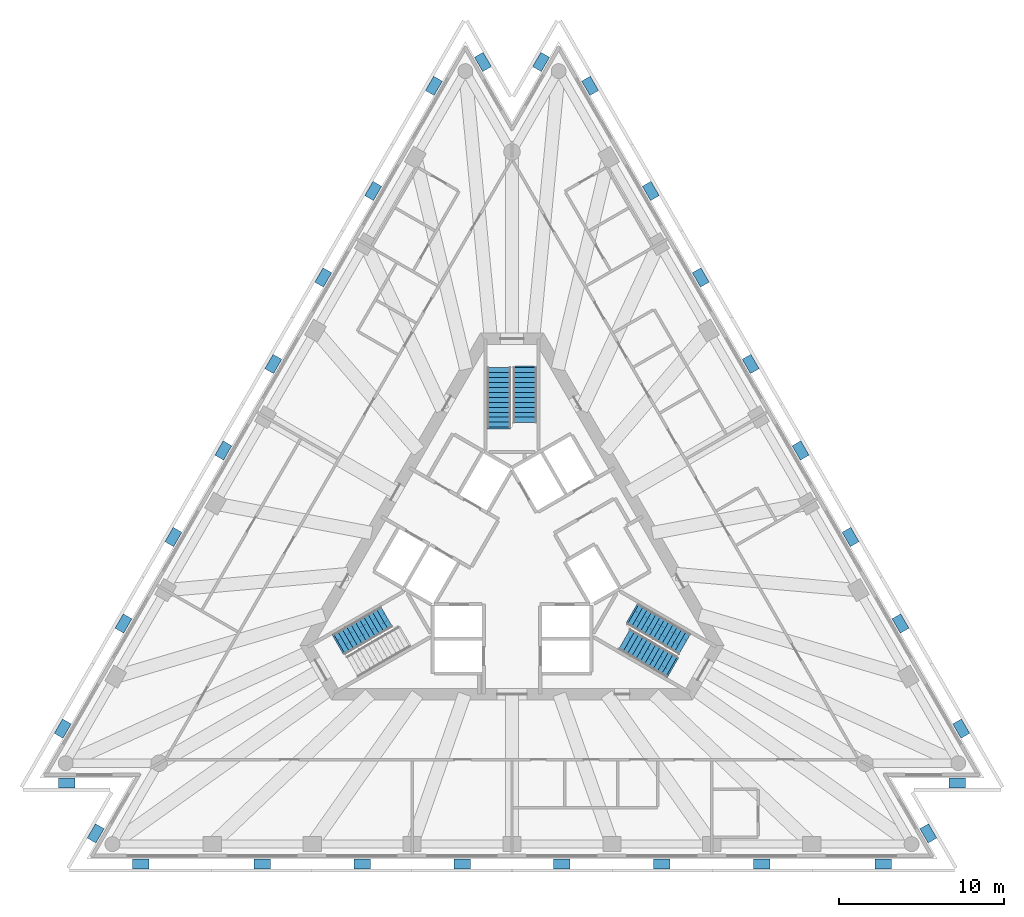
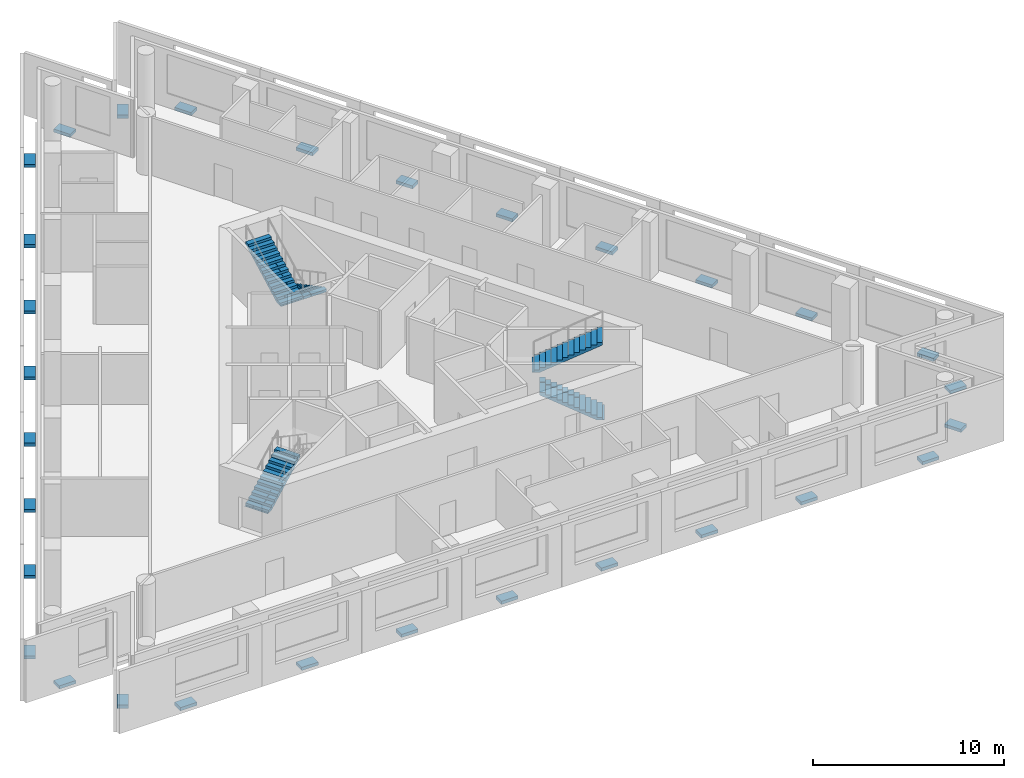
# One storey, part 7 of 9: 30 discrete accessories, 5 stair flights, 3 elements without a shape of their own.
"""IFC4 building model written with IfcOpenShell, lengths in metres."""

from ifc_helpers import new_model, si_unit, direction, frame, origin, origin_2d, place, context, subcontext, project, spatial, polyline, rectangle, outline, extrude, material, type_object, element, aggregate, save


model = new_model("IFC4")

# Units and contexts
model_context = context("Model", 3, precision=1e-05, world=origin(), true_north=direction((0.0, 1.0)))
body_context = subcontext(model_context, "Body", "Model", "MODEL_VIEW")
ifc_project = project(units=[si_unit("LENGTHUNIT", "METRE"), si_unit("AREAUNIT", "SQUARE_METRE"), si_unit("VOLUMEUNIT", "CUBIC_METRE"), si_unit("PLANEANGLEUNIT", "RADIAN"), si_unit("MASSUNIT", "GRAM", prefix="KILO")], contexts=[model_context])

# Site, building, storey
site_placement = place(None, origin())
site = spatial("IfcSite", under=ifc_project, at=site_placement, CompositionType="ELEMENT")
building_placement = place(site_placement, origin())
building = spatial("IfcBuilding", under=site, at=building_placement, Name="Triada Interchange Tower", CompositionType="ELEMENT")
storey_placement = place(building_placement, frame((0.0, 0.0, 223.300048828125)))
storey = spatial("IfcBuildingStorey", under=building, at=storey_placement, Name="L52", CompositionType="ELEMENT", Elevation=223.300048828125)

# Stair, stair flights
ifc_material_1 = material(Name="Concrete C35/45", Category="concrete")
stair_type = type_object("IfcStairType", Name="HALF TURN STAIR 1400", PredefinedType="HALF_TURN_STAIR", material=ifc_material_1)
stair_1_placement = place(storey_placement, origin())
stair_1 = element("IfcStair", 1, at=stair_1_placement, inside=storey, type_object=stair_type, Name="Exit stair S50-1", PredefinedType="HALF_TURN_STAIR")
stair_flight_type = type_object("IfcStairFlightType", Name="STRAIGHT STAIR FLIGHT 1400", PredefinedType="STRAIGHT", material=ifc_material_1)
stair_flight_1_placement = place(storey_placement, frame((0.800048828125, 11.60009765625, 0.0), z_axis=(0.0, 0.0, 1.0), x_axis=(0.0, -1.0, 0.0)))
stair_flight_1 = element("IfcStairFlight", 2, at=stair_flight_1_placement, type_object=stair_flight_type, Name="S50-1 flight 1", NumberOfRisers=12, NumberOfTreads=11, PredefinedType="STRAIGHT", RiserHeight=0.16, TreadLength=0.3, context=body_context, shape_type="SweptSolid", body=[
    extrude(outline(polyline([(-0.10009765625, 0.0), (-0.10009765625, 0.02001953125), (0.0, 0.02001953125), (0.0, 0.159912109375), (0.300048828125, 0.159912109375), (0.300048828125, 0.320068359375), (0.60009765625, 0.320068359375), (0.60009765625, 0.47998046875), (0.89990234375, 0.47998046875), (0.89990234375, 0.639892578125), (1.199951171875, 0.639892578125), (1.199951171875, 0.800048828125), (1.5, 0.800048828125), (1.5, 0.9599609375), (1.800048828125, 0.9599609375), (1.800048828125, 1.1201171875), (2.10009765625, 1.1201171875), (2.10009765625, 1.280029296875), (2.39990234375, 1.280029296875), (2.39990234375, 1.43994140625), (2.699951171875, 1.43994140625), (2.699951171875, 1.60009765625), (3.0, 1.60009765625), (3.0, 1.760009765625), (3.300048828125, 1.760009765625), (3.303955078125, 1.760009765625), (3.303955078125, 1.919921875), (3.303955078125, 1.590087890625), (0.318603515625, 0.0), (-0.10009765625, 0.0)])), frame((0.0, 0.699951171875, 0.0), z_axis=(0.0, -1.0, 0.0), x_axis=(1.0, 0.0, 0.0)), (0.0, 0.0, 1.0), 0.46533203125),
    extrude(outline(polyline([(-0.10009765625, 0.0), (-0.10009765625, 0.02001953125), (0.0, 0.02001953125), (0.0, 0.159912109375), (0.300048828125, 0.159912109375), (0.300048828125, 0.320068359375), (0.60009765625, 0.320068359375), (0.60009765625, 0.47998046875), (0.89990234375, 0.47998046875), (0.89990234375, 0.639892578125), (1.199951171875, 0.639892578125), (1.199951171875, 0.800048828125), (1.5, 0.800048828125), (1.5, 0.9599609375), (1.800048828125, 0.9599609375), (1.800048828125, 1.1201171875), (2.10009765625, 1.1201171875), (2.10009765625, 1.280029296875), (2.39990234375, 1.280029296875), (2.39990234375, 1.43994140625), (2.699951171875, 1.43994140625), (2.699951171875, 1.60009765625), (3.0, 1.60009765625), (3.0, 1.760009765625), (3.300048828125, 1.760009765625), (3.303955078125, 1.760009765625), (3.303955078125, 1.919921875), (3.303955078125, 1.590087890625), (0.318603515625, 0.0), (-0.10009765625, 0.0)])), frame((0.0, 0.232666015625, 0.0), z_axis=(0.0, -1.0, 0.0), x_axis=(1.0, 0.0, 0.0)), (0.0, 0.0, 1.0), 0.46533203125),
    extrude(outline(polyline([(-0.10009765625, 0.0), (-0.10009765625, 0.02001953125), (0.0, 0.02001953125), (0.0, 0.159912109375), (0.300048828125, 0.159912109375), (0.300048828125, 0.320068359375), (0.60009765625, 0.320068359375), (0.60009765625, 0.47998046875), (0.89990234375, 0.47998046875), (0.89990234375, 0.639892578125), (1.199951171875, 0.639892578125), (1.199951171875, 0.800048828125), (1.5, 0.800048828125), (1.5, 0.9599609375), (1.800048828125, 0.9599609375), (1.800048828125, 1.1201171875), (2.10009765625, 1.1201171875), (2.10009765625, 1.280029296875), (2.39990234375, 1.280029296875), (2.39990234375, 1.43994140625), (2.699951171875, 1.43994140625), (2.699951171875, 1.60009765625), (3.0, 1.60009765625), (3.0, 1.760009765625), (3.300048828125, 1.760009765625), (3.303955078125, 1.760009765625), (3.303955078125, 1.919921875), (3.303955078125, 1.590087890625), (0.318603515625, 0.0), (-0.10009765625, 0.0)])), frame((0.0, -0.234619140625, 0.0), z_axis=(0.0, -1.0, 0.0), x_axis=(1.0, 0.0, 0.0)), (0.0, 0.0, 1.0), 0.46533203125),
])
stair_flight_2_placement = place(storey_placement, frame((-0.800048828125, 8.0, 1.919921875), z_axis=(0.0, 0.0, 1.0), x_axis=(0.0, 1.0, 0.0)))
stair_flight_2 = element("IfcStairFlight", 3, at=stair_flight_2_placement, type_object=stair_flight_type, Name="S50-1 flight 2", NumberOfRisers=13, NumberOfTreads=12, PredefinedType="STRAIGHT", RiserHeight=0.16, TreadLength=0.3, context=body_context, shape_type="SweptSolid", body=[
    extrude(outline(polyline([(-0.10009765625, 0.0), (-0.10009765625, 0.02001953125), (0.0, 0.02001953125), (0.0, 0.159912109375), (0.300048828125, 0.159912109375), (0.300048828125, 0.320068359375), (0.60009765625, 0.320068359375), (0.60009765625, 0.47998046875), (0.89990234375, 0.47998046875), (0.89990234375, 0.639892578125), (1.199951171875, 0.639892578125), (1.199951171875, 0.800048828125), (1.5, 0.800048828125), (1.5, 0.9599609375), (1.800048828125, 0.9599609375), (1.800048828125, 1.1201171875), (2.10009765625, 1.1201171875), (2.10009765625, 1.280029296875), (2.39990234375, 1.280029296875), (2.39990234375, 1.43994140625), (2.699951171875, 1.43994140625), (2.699951171875, 1.60009765625), (3.0, 1.60009765625), (3.0, 1.760009765625), (3.300048828125, 1.760009765625), (3.300048828125, 1.919921875), (3.60009765625, 1.919921875), (3.60400390625, 1.919921875), (3.60400390625, 2.080078125), (3.60400390625, 1.75), (0.318603515625, 0.0), (-0.10009765625, 0.0)])), frame((0.0, 0.699951171875, 0.0), z_axis=(0.0, -1.0, 0.0), x_axis=(1.0, 0.0, 0.0)), (0.0, 0.0, 1.0), 0.46533203125),
    extrude(outline(polyline([(-0.10009765625, 0.0), (-0.10009765625, 0.02001953125), (0.0, 0.02001953125), (0.0, 0.159912109375), (0.300048828125, 0.159912109375), (0.300048828125, 0.320068359375), (0.60009765625, 0.320068359375), (0.60009765625, 0.47998046875), (0.89990234375, 0.47998046875), (0.89990234375, 0.639892578125), (1.199951171875, 0.639892578125), (1.199951171875, 0.800048828125), (1.5, 0.800048828125), (1.5, 0.9599609375), (1.800048828125, 0.9599609375), (1.800048828125, 1.1201171875), (2.10009765625, 1.1201171875), (2.10009765625, 1.280029296875), (2.39990234375, 1.280029296875), (2.39990234375, 1.43994140625), (2.699951171875, 1.43994140625), (2.699951171875, 1.60009765625), (3.0, 1.60009765625), (3.0, 1.760009765625), (3.300048828125, 1.760009765625), (3.300048828125, 1.919921875), (3.60009765625, 1.919921875), (3.60400390625, 1.919921875), (3.60400390625, 2.080078125), (3.60400390625, 1.75), (0.318603515625, 0.0), (-0.10009765625, 0.0)])), frame((0.0, 0.232666015625, 0.0), z_axis=(0.0, -1.0, 0.0), x_axis=(1.0, 0.0, 0.0)), (0.0, 0.0, 1.0), 0.46533203125),
    extrude(outline(polyline([(-0.10009765625, 0.0), (-0.10009765625, 0.02001953125), (0.0, 0.02001953125), (0.0, 0.159912109375), (0.300048828125, 0.159912109375), (0.300048828125, 0.320068359375), (0.60009765625, 0.320068359375), (0.60009765625, 0.47998046875), (0.89990234375, 0.47998046875), (0.89990234375, 0.639892578125), (1.199951171875, 0.639892578125), (1.199951171875, 0.800048828125), (1.5, 0.800048828125), (1.5, 0.9599609375), (1.800048828125, 0.9599609375), (1.800048828125, 1.1201171875), (2.10009765625, 1.1201171875), (2.10009765625, 1.280029296875), (2.39990234375, 1.280029296875), (2.39990234375, 1.43994140625), (2.699951171875, 1.43994140625), (2.699951171875, 1.60009765625), (3.0, 1.60009765625), (3.0, 1.760009765625), (3.300048828125, 1.760009765625), (3.300048828125, 1.919921875), (3.60009765625, 1.919921875), (3.60400390625, 1.919921875), (3.60400390625, 2.080078125), (3.60400390625, 1.75), (0.318603515625, 0.0), (-0.10009765625, 0.0)])), frame((0.0, -0.234619140625, 0.0), z_axis=(0.0, -1.0, 0.0), x_axis=(1.0, 0.0, 0.0)), (0.0, 0.0, 1.0), 0.46533203125),
])
aggregate(stair_1, [stair_flight_1, stair_flight_2])

# Stair, stair flight
stair_2_placement = place(storey_placement, origin())
stair_2 = element("IfcStair", 4, at=stair_2_placement, inside=storey, type_object=stair_type, Name="Exit stair S50-2", PredefinedType="HALF_TURN_STAIR")
stair_flight_3_placement = place(storey_placement, frame((-10.446044921875, -5.10693359375, 0.0), z_axis=(0.0, 0.0, 1.0), x_axis=(0.866025403784, 0.5, 0.0)))
stair_flight_3 = element("IfcStairFlight", 5, at=stair_flight_3_placement, type_object=stair_flight_type, Name="S50-2 flight 1", NumberOfRisers=12, NumberOfTreads=11, PredefinedType="STRAIGHT", RiserHeight=0.16, TreadLength=0.3, context=body_context, shape_type="SweptSolid", body=[
    extrude(outline(polyline([(-0.10009765625, 0.0), (-0.10009765625, 0.02001953125), (0.0, 0.02001953125), (0.0, 0.159912109375), (0.300048828125, 0.159912109375), (0.300048828125, 0.320068359375), (0.60009765625, 0.320068359375), (0.60009765625, 0.47998046875), (0.89990234375, 0.47998046875), (0.89990234375, 0.639892578125), (1.199951171875, 0.639892578125), (1.199951171875, 0.800048828125), (1.5, 0.800048828125), (1.5, 0.9599609375), (1.800048828125, 0.9599609375), (1.800048828125, 1.1201171875), (2.10009765625, 1.1201171875), (2.10009765625, 1.280029296875), (2.39990234375, 1.280029296875), (2.39990234375, 1.43994140625), (2.699951171875, 1.43994140625), (2.699951171875, 1.60009765625), (3.0, 1.60009765625), (3.0, 1.760009765625), (3.300048828125, 1.760009765625), (3.303955078125, 1.760009765625), (3.303955078125, 1.919921875), (3.303955078125, 1.590087890625), (0.318603515625, 0.0), (-0.10009765625, 0.0)])), frame((0.0, 0.699951171875, 0.0), z_axis=(0.0, -1.0, 0.0), x_axis=(1.0, 0.0, 0.0)), (0.0, 0.0, 1.0), 0.46533203125),
    extrude(outline(polyline([(-0.10009765625, 0.0), (-0.10009765625, 0.02001953125), (0.0, 0.02001953125), (0.0, 0.159912109375), (0.300048828125, 0.159912109375), (0.300048828125, 0.320068359375), (0.60009765625, 0.320068359375), (0.60009765625, 0.47998046875), (0.89990234375, 0.47998046875), (0.89990234375, 0.639892578125), (1.199951171875, 0.639892578125), (1.199951171875, 0.800048828125), (1.5, 0.800048828125), (1.5, 0.9599609375), (1.800048828125, 0.9599609375), (1.800048828125, 1.1201171875), (2.10009765625, 1.1201171875), (2.10009765625, 1.280029296875), (2.39990234375, 1.280029296875), (2.39990234375, 1.43994140625), (2.699951171875, 1.43994140625), (2.699951171875, 1.60009765625), (3.0, 1.60009765625), (3.0, 1.760009765625), (3.300048828125, 1.760009765625), (3.303955078125, 1.760009765625), (3.303955078125, 1.919921875), (3.303955078125, 1.590087890625), (0.318603515625, 0.0), (-0.10009765625, 0.0)])), frame((0.0, 0.232666015625, 0.0), z_axis=(0.0, -1.0, 0.0), x_axis=(1.0, 0.0, 0.0)), (0.0, 0.0, 1.0), 0.46533203125),
    extrude(outline(polyline([(-0.10009765625, 0.0), (-0.10009765625, 0.02001953125), (0.0, 0.02001953125), (0.0, 0.159912109375), (0.300048828125, 0.159912109375), (0.300048828125, 0.320068359375), (0.60009765625, 0.320068359375), (0.60009765625, 0.47998046875), (0.89990234375, 0.47998046875), (0.89990234375, 0.639892578125), (1.199951171875, 0.639892578125), (1.199951171875, 0.800048828125), (1.5, 0.800048828125), (1.5, 0.9599609375), (1.800048828125, 0.9599609375), (1.800048828125, 1.1201171875), (2.10009765625, 1.1201171875), (2.10009765625, 1.280029296875), (2.39990234375, 1.280029296875), (2.39990234375, 1.43994140625), (2.699951171875, 1.43994140625), (2.699951171875, 1.60009765625), (3.0, 1.60009765625), (3.0, 1.760009765625), (3.300048828125, 1.760009765625), (3.303955078125, 1.760009765625), (3.303955078125, 1.919921875), (3.303955078125, 1.590087890625), (0.318603515625, 0.0), (-0.10009765625, 0.0)])), frame((0.0, -0.234619140625, 0.0), z_axis=(0.0, -1.0, 0.0), x_axis=(1.0, 0.0, 0.0)), (0.0, 0.0, 1.0), 0.46533203125),
])
aggregate(stair_2, [stair_flight_3])

# Stair, stair flights
stair_3_placement = place(storey_placement, origin())
stair_3 = element("IfcStair", 6, at=stair_3_placement, inside=storey, type_object=stair_type, Name="Exit stair S50-3", PredefinedType="HALF_TURN_STAIR")
stair_flight_4_placement = place(storey_placement, frame((9.64599609375, -6.492919921875, 0.0), z_axis=(0.0, 0.0, 1.0), x_axis=(-0.866025403784, 0.5, 0.0)))
stair_flight_4 = element("IfcStairFlight", 7, at=stair_flight_4_placement, type_object=stair_flight_type, Name="S50-3 flight 1", NumberOfRisers=12, NumberOfTreads=11, PredefinedType="STRAIGHT", RiserHeight=0.16, TreadLength=0.3, context=body_context, shape_type="SweptSolid", body=[
    extrude(outline(polyline([(-0.10009765625, 0.0), (-0.10009765625, 0.02001953125), (0.0, 0.02001953125), (0.0, 0.159912109375), (0.300048828125, 0.159912109375), (0.300048828125, 0.320068359375), (0.60009765625, 0.320068359375), (0.60009765625, 0.47998046875), (0.89990234375, 0.47998046875), (0.89990234375, 0.639892578125), (1.199951171875, 0.639892578125), (1.199951171875, 0.800048828125), (1.5, 0.800048828125), (1.5, 0.9599609375), (1.800048828125, 0.9599609375), (1.800048828125, 1.1201171875), (2.10009765625, 1.1201171875), (2.10009765625, 1.280029296875), (2.39990234375, 1.280029296875), (2.39990234375, 1.43994140625), (2.699951171875, 1.43994140625), (2.699951171875, 1.60009765625), (3.0, 1.60009765625), (3.0, 1.760009765625), (3.300048828125, 1.760009765625), (3.303955078125, 1.760009765625), (3.303955078125, 1.919921875), (3.303955078125, 1.590087890625), (0.318603515625, 0.0), (-0.10009765625, 0.0)])), frame((0.0, 0.699951171875, 0.0), z_axis=(0.0, -1.0, 0.0), x_axis=(1.0, 0.0, 0.0)), (0.0, 0.0, 1.0), 0.46533203125),
    extrude(outline(polyline([(-0.10009765625, 0.0), (-0.10009765625, 0.02001953125), (0.0, 0.02001953125), (0.0, 0.159912109375), (0.300048828125, 0.159912109375), (0.300048828125, 0.320068359375), (0.60009765625, 0.320068359375), (0.60009765625, 0.47998046875), (0.89990234375, 0.47998046875), (0.89990234375, 0.639892578125), (1.199951171875, 0.639892578125), (1.199951171875, 0.800048828125), (1.5, 0.800048828125), (1.5, 0.9599609375), (1.800048828125, 0.9599609375), (1.800048828125, 1.1201171875), (2.10009765625, 1.1201171875), (2.10009765625, 1.280029296875), (2.39990234375, 1.280029296875), (2.39990234375, 1.43994140625), (2.699951171875, 1.43994140625), (2.699951171875, 1.60009765625), (3.0, 1.60009765625), (3.0, 1.760009765625), (3.300048828125, 1.760009765625), (3.303955078125, 1.760009765625), (3.303955078125, 1.919921875), (3.303955078125, 1.590087890625), (0.318603515625, 0.0), (-0.10009765625, 0.0)])), frame((0.0, 0.232666015625, 0.0), z_axis=(0.0, -1.0, 0.0), x_axis=(1.0, 0.0, 0.0)), (0.0, 0.0, 1.0), 0.46533203125),
    extrude(outline(polyline([(-0.10009765625, 0.0), (-0.10009765625, 0.02001953125), (0.0, 0.02001953125), (0.0, 0.159912109375), (0.300048828125, 0.159912109375), (0.300048828125, 0.320068359375), (0.60009765625, 0.320068359375), (0.60009765625, 0.47998046875), (0.89990234375, 0.47998046875), (0.89990234375, 0.639892578125), (1.199951171875, 0.639892578125), (1.199951171875, 0.800048828125), (1.5, 0.800048828125), (1.5, 0.9599609375), (1.800048828125, 0.9599609375), (1.800048828125, 1.1201171875), (2.10009765625, 1.1201171875), (2.10009765625, 1.280029296875), (2.39990234375, 1.280029296875), (2.39990234375, 1.43994140625), (2.699951171875, 1.43994140625), (2.699951171875, 1.60009765625), (3.0, 1.60009765625), (3.0, 1.760009765625), (3.300048828125, 1.760009765625), (3.303955078125, 1.760009765625), (3.303955078125, 1.919921875), (3.303955078125, 1.590087890625), (0.318603515625, 0.0), (-0.10009765625, 0.0)])), frame((0.0, -0.234619140625, 0.0), z_axis=(0.0, -1.0, 0.0), x_axis=(1.0, 0.0, 0.0)), (0.0, 0.0, 1.0), 0.46533203125),
])
stair_flight_5_placement = place(storey_placement, frame((7.327880859375, -3.306884765625, 1.919921875), z_axis=(0.0, 0.0, 1.0), x_axis=(0.866025403784, -0.5, 0.0)))
stair_flight_5 = element("IfcStairFlight", 8, at=stair_flight_5_placement, type_object=stair_flight_type, Name="S50-3 flight 2", NumberOfRisers=13, NumberOfTreads=12, PredefinedType="STRAIGHT", RiserHeight=0.16, TreadLength=0.3, context=body_context, shape_type="SweptSolid", body=[
    extrude(outline(polyline([(-0.10009765625, 0.0), (-0.10009765625, 0.02001953125), (0.0, 0.02001953125), (0.0, 0.159912109375), (0.300048828125, 0.159912109375), (0.300048828125, 0.320068359375), (0.60009765625, 0.320068359375), (0.60009765625, 0.47998046875), (0.89990234375, 0.47998046875), (0.89990234375, 0.639892578125), (1.199951171875, 0.639892578125), (1.199951171875, 0.800048828125), (1.5, 0.800048828125), (1.5, 0.9599609375), (1.800048828125, 0.9599609375), (1.800048828125, 1.1201171875), (2.10009765625, 1.1201171875), (2.10009765625, 1.280029296875), (2.39990234375, 1.280029296875), (2.39990234375, 1.43994140625), (2.699951171875, 1.43994140625), (2.699951171875, 1.60009765625), (3.0, 1.60009765625), (3.0, 1.760009765625), (3.300048828125, 1.760009765625), (3.300048828125, 1.919921875), (3.60009765625, 1.919921875), (3.60400390625, 1.919921875), (3.60400390625, 2.080078125), (3.60400390625, 1.75), (0.318603515625, 0.0), (-0.10009765625, 0.0)])), frame((0.0, 0.699951171875, 0.0), z_axis=(0.0, -1.0, 0.0), x_axis=(1.0, 0.0, 0.0)), (0.0, 0.0, 1.0), 0.46533203125),
    extrude(outline(polyline([(-0.10009765625, 0.0), (-0.10009765625, 0.02001953125), (0.0, 0.02001953125), (0.0, 0.159912109375), (0.300048828125, 0.159912109375), (0.300048828125, 0.320068359375), (0.60009765625, 0.320068359375), (0.60009765625, 0.47998046875), (0.89990234375, 0.47998046875), (0.89990234375, 0.639892578125), (1.199951171875, 0.639892578125), (1.199951171875, 0.800048828125), (1.5, 0.800048828125), (1.5, 0.9599609375), (1.800048828125, 0.9599609375), (1.800048828125, 1.1201171875), (2.10009765625, 1.1201171875), (2.10009765625, 1.280029296875), (2.39990234375, 1.280029296875), (2.39990234375, 1.43994140625), (2.699951171875, 1.43994140625), (2.699951171875, 1.60009765625), (3.0, 1.60009765625), (3.0, 1.760009765625), (3.300048828125, 1.760009765625), (3.300048828125, 1.919921875), (3.60009765625, 1.919921875), (3.60400390625, 1.919921875), (3.60400390625, 2.080078125), (3.60400390625, 1.75), (0.318603515625, 0.0), (-0.10009765625, 0.0)])), frame((0.0, 0.232666015625, 0.0), z_axis=(0.0, -1.0, 0.0), x_axis=(1.0, 0.0, 0.0)), (0.0, 0.0, 1.0), 0.46533203125),
    extrude(outline(polyline([(-0.10009765625, 0.0), (-0.10009765625, 0.02001953125), (0.0, 0.02001953125), (0.0, 0.159912109375), (0.300048828125, 0.159912109375), (0.300048828125, 0.320068359375), (0.60009765625, 0.320068359375), (0.60009765625, 0.47998046875), (0.89990234375, 0.47998046875), (0.89990234375, 0.639892578125), (1.199951171875, 0.639892578125), (1.199951171875, 0.800048828125), (1.5, 0.800048828125), (1.5, 0.9599609375), (1.800048828125, 0.9599609375), (1.800048828125, 1.1201171875), (2.10009765625, 1.1201171875), (2.10009765625, 1.280029296875), (2.39990234375, 1.280029296875), (2.39990234375, 1.43994140625), (2.699951171875, 1.43994140625), (2.699951171875, 1.60009765625), (3.0, 1.60009765625), (3.0, 1.760009765625), (3.300048828125, 1.760009765625), (3.300048828125, 1.919921875), (3.60009765625, 1.919921875), (3.60400390625, 1.919921875), (3.60400390625, 2.080078125), (3.60400390625, 1.75), (0.318603515625, 0.0), (-0.10009765625, 0.0)])), frame((0.0, -0.234619140625, 0.0), z_axis=(0.0, -1.0, 0.0), x_axis=(1.0, 0.0, 0.0)), (0.0, 0.0, 1.0), 0.46533203125),
])
aggregate(stair_3, [stair_flight_4, stair_flight_5])

# Discrete accessories
ifc_material_2 = material(Name="Steel S355", Category="steel")
discrete_accessory_type = type_object("IfcDiscreteAccessoryType", Name="Steel bracket outer skin", PredefinedType="BRACKET", material=ifc_material_2)
for number, where, z_axis, x_axis, name in (
    (9, (-4.722900390625, 28.638916015625, -0.27001953125), (0.0, 0.0, 1.0), (-0.866025019812, 0.50000066506, 0.0), "Bracket L52 01"),
    (10, (-8.39306640625, 22.282958984375, -0.27001953125), (0.0, 0.0, 1.0), (-0.866025019812, 0.50000066506, 0.0), "Bracket L52 02"),
    (11, (-11.4130859375, 17.052001953125, -0.27001953125), (0.0, 0.0, 1.0), (-0.866025019812, 0.50000066506, 0.0), "Bracket L52 03"),
    (12, (-14.43310546875, 11.821044921875, -0.27001953125), (0.0, 0.0, 1.0), (-0.866025019812, 0.50000066506, 0.0), "Bracket L52 04"),
    (13, (-17.452880859375, 6.589111328125, -0.27001953125), (0.0, 0.0, 1.0), (-0.866025019812, 0.50000066506, 0.0), "Bracket L52 05"),
    (14, (-20.47412109375, 1.35791015625, -0.27001953125), (0.0, 0.0, 1.0), (-0.866025019812, 0.50000066506, 0.0), "Bracket L52 06"),
    (15, (-23.493896484375, -3.873046875, -0.27001953125), (0.0, 0.0, 1.0), (-0.866025019812, 0.50000066506, 0.0), "Bracket L52 07"),
    (16, (-27.1640625, -10.22900390625, -0.27001953125), (0.0, 0.0, 1.0), (-0.866025019812, 0.50000066506, 0.0), "Bracket L52 08"),
    (17, (-26.93408203125, -13.52001953125, -0.27001953125), (0.0, 0.0, 1.0), (0.0, -1.0, 0.0), "Bracket L52 09"),
    (18, (-25.175048828125, -16.56494140625, -0.27001953125), (0.0, 0.0, 1.0), (-0.866044025847, 0.499967744255, 0.0), "Bracket L52 10"),
    (19, (-22.44091796875, -18.409912109375, -0.27001953125), (0.0, 0.0, 1.0), (0.0, -1.0, 0.0), "Bracket L52 11"),
    (20, (-15.10107421875, -18.409912109375, -0.27001953125), (0.0, 0.0, 1.0), (0.0, -1.0, 0.0), "Bracket L52 12"),
    (21, (-9.06103515625, -18.409912109375, -0.27001953125), (0.0, 0.0, 1.0), (0.0, -1.0, 0.0), "Bracket L52 13"),
    (22, (-3.02001953125, -18.409912109375, -0.27001953125), (0.0, 0.0, 1.0), (0.0, -1.0, 0.0), "Bracket L52 14"),
    (23, (3.02001953125, -18.409912109375, -0.27001953125), (0.0, 0.0, 1.0), (0.0, -1.0, 0.0), "Bracket L52 15"),
    (24, (9.06103515625, -18.409912109375, -0.27001953125), (0.0, 0.0, 1.0), (0.0, -1.0, 0.0), "Bracket L52 16"),
    (25, (15.10107421875, -18.409912109375, -0.27001953125), (0.0, 0.0, 1.0), (0.0, -1.0, 0.0), "Bracket L52 17"),
    (26, (22.44091796875, -18.409912109375, -0.27001953125), (0.0, 0.0, 1.0), (0.0, -1.0, 0.0), "Bracket L52 18"),
    (27, (25.175048828125, -16.56494140625, -0.27001953125), (0.0, 0.0, 1.0), (0.866044025847, 0.499967744255, 0.0), "Bracket L52 19"),
    (28, (26.93408203125, -13.52001953125, -0.27001953125), (0.0, 0.0, 1.0), (0.0, -1.0, 0.0), "Bracket L52 20"),
    (29, (27.1640625, -10.22900390625, -0.27001953125), (0.0, 0.0, 1.0), (0.866025019812, 0.50000066506, 0.0), "Bracket L52 21"),
    (30, (23.493896484375, -3.873046875, -0.27001953125), (0.0, 0.0, 1.0), (0.866025019812, 0.50000066506, 0.0), "Bracket L52 22"),
    (31, (20.47412109375, 1.35791015625, -0.27001953125), (0.0, 0.0, 1.0), (0.866025019812, 0.50000066506, 0.0), "Bracket L52 23"),
    (32, (17.452880859375, 6.589111328125, -0.27001953125), (0.0, 0.0, 1.0), (0.866025019812, 0.50000066506, 0.0), "Bracket L52 24"),
    (33, (14.43310546875, 11.821044921875, -0.27001953125), (0.0, 0.0, 1.0), (0.866025019812, 0.50000066506, 0.0), "Bracket L52 25"),
    (34, (11.4130859375, 17.052001953125, -0.27001953125), (0.0, 0.0, 1.0), (0.866025019812, 0.50000066506, 0.0), "Bracket L52 26"),
    (35, (8.39306640625, 22.282958984375, -0.27001953125), (0.0, 0.0, 1.0), (0.866025019812, 0.50000066506, 0.0), "Bracket L52 27"),
    (36, (4.722900390625, 28.638916015625, -0.27001953125), (0.0, 0.0, 1.0), (0.866025019812, 0.50000066506, 0.0), "Bracket L52 28"),
    (37, (1.758056640625, 30.0849609375, -0.27001953125), (0.0, 0.0, 1.0), (-0.865999746304, 0.500044437426, 0.0), "Bracket L52 29"),
    (38, (-1.758056640625, 30.0849609375, -0.27001953125), (0.0, 0.0, 1.0), (0.865999746304, 0.500044437426, 0.0), "Bracket L52 30"),
):
    element("IfcDiscreteAccessory", number, at=place(storey_placement, frame(where, z_axis=z_axis, x_axis=x_axis)), inside=storey, type_object=discrete_accessory_type, Name=name, PredefinedType="BRACKET", context=body_context, shape_type="SweptSolid", body=[
        extrude(rectangle(XDim=0.60009765625, YDim=1.0, at=origin_2d()), origin(), (0.0, 0.0, 1.0), 0.199951171875),
    ])

save(model, "model.ifc")
